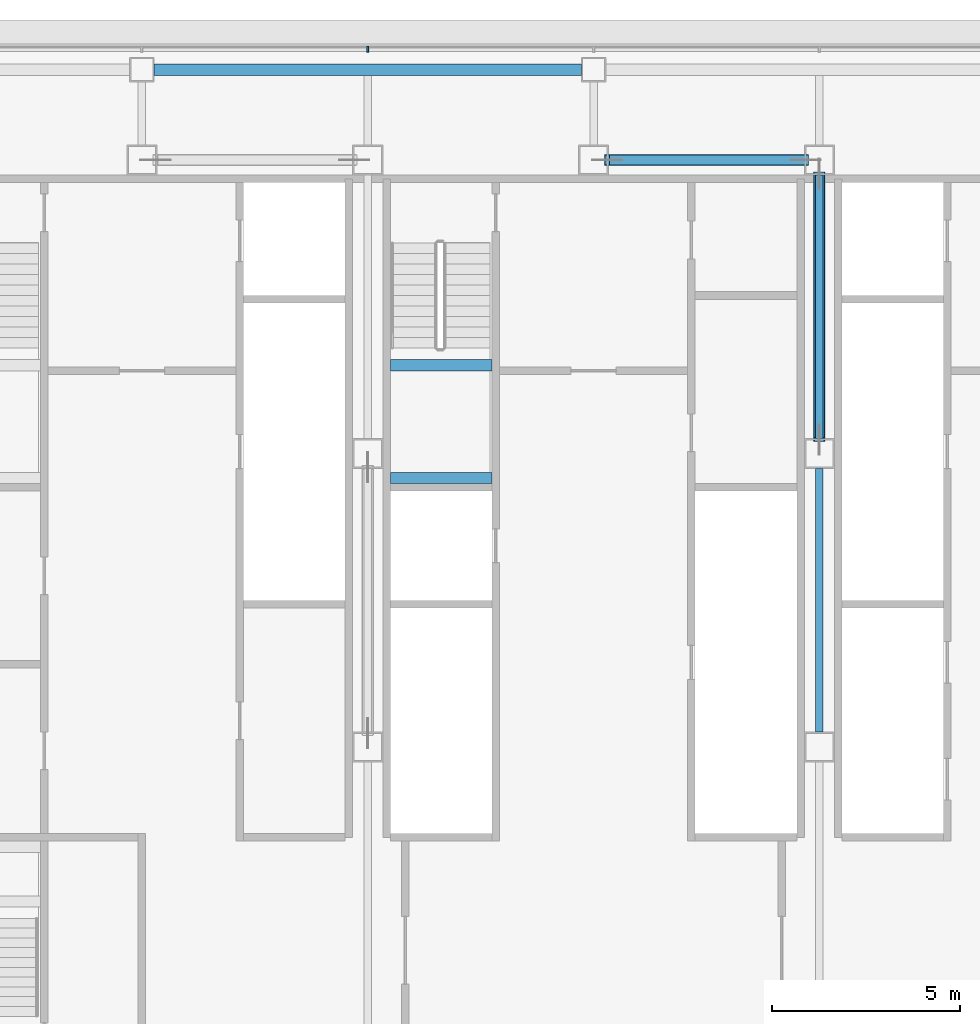
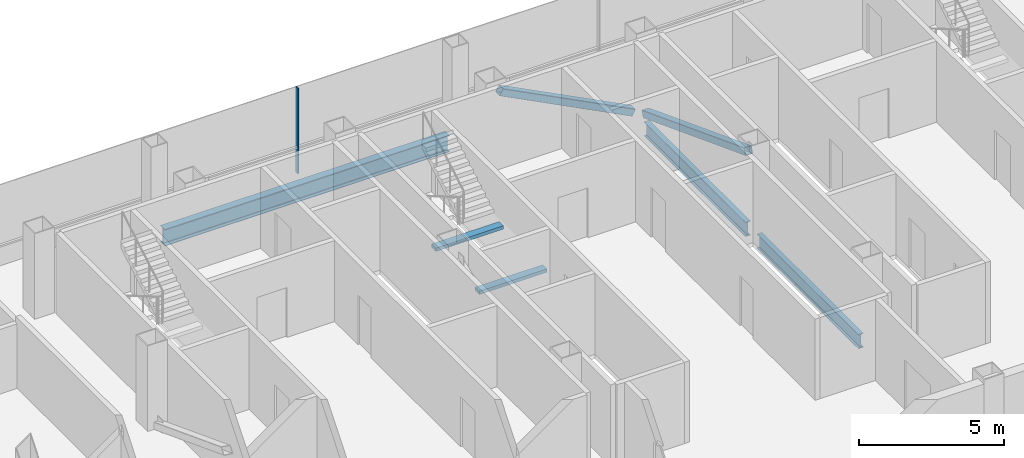
# One storey, part 13 of 27: 5 beams, 3 members, 1 element without a shape of its own.
"""IFC4 building model written with IfcOpenShell, lengths in metres."""

import ifcopenshell
import ifcopenshell.guid

model = None  # the IFC model being written
_history = None  # IfcOwnerHistory: only IFC2X3 demands one
_inside = {}  # id of a spatial element -> (the spatial element, [elements in it])
_under = {}  # id of a project, library or spatial element -> (it, [spatial elements below it])
_declared = {}  # id of a project -> (the project, [libraries it declares])
_typed = {}  # id of a type object -> (the type object, [elements of that type])
_made_of = {}  # id of a material, layer set ... -> (it, [elements and type objects made of it])


def new_model(schema):
    """Start an empty IFC model of exactly this schema.

    Asked for "IFC4X3", IfcOpenShell would pick the latest addendum, in which some entities
    have other attributes; the version numbers below select the first issue.
    IFC2X3 requires an IfcOwnerHistory on every rooted entity: one is made here for all.
    """
    global model, _history
    if schema == "IFC4X3":
        model = ifcopenshell.file(schema_version=(4, 3, 0, 0))
    else:
        model = ifcopenshell.file(schema=schema)
    _inside.clear()
    _under.clear()
    _declared.clear()
    _typed.clear()
    _made_of.clear()
    _history = None
    if model.schema == "IFC2X3":
        org = make("IfcOrganization", Name="unknown")
        user = make(
            "IfcPersonAndOrganization",
            ThePerson=make("IfcPerson", FamilyName="unknown"),
            TheOrganization=org,
        )
        app = make(
            "IfcApplication",
            ApplicationDeveloper=org,
            Version="unknown",
            ApplicationFullName="unknown",
            ApplicationIdentifier="unknown",
        )
        _history = make(
            "IfcOwnerHistory",
            OwningUser=user,
            OwningApplication=app,
            ChangeAction="ADDED",
            CreationDate=0,
        )
    return model


def make(cls, **values):
    """One entity of the class cls with the attributes given. An attribute that is None is left unset."""
    return model.create_entity(
        cls, **{name: value for name, value in values.items() if value is not None}
    )


def rooted(cls, **values):
    """An entity with a GlobalId (a new one), such as an element, a storey or a relation."""
    return make(cls, GlobalId=ifcopenshell.guid.new(), OwnerHistory=_history, **values)


def si_unit(unit_type, name, prefix=None):
    """IfcSIUnit, for example si_unit("LENGTHUNIT", "METRE", prefix="MILLI")."""
    return make("IfcSIUnit", UnitType=unit_type, Prefix=prefix, Name=name)


def assignment(units):
    """IfcUnitAssignment: the units of a project."""
    return None if units is None else make("IfcUnitAssignment", Units=units)


def point(xyz):
    """IfcCartesianPoint."""
    return None if xyz is None else make("IfcCartesianPoint", Coordinates=xyz)


def direction(xyz):
    """IfcDirection."""
    return None if xyz is None else make("IfcDirection", DirectionRatios=xyz)


def frame(location, z_axis=None, x_axis=None):
    """IfcAxis2Placement3D, a coordinate frame: its origin and axes. An axis left out is left unset."""
    return make(
        "IfcAxis2Placement3D",
        Location=point(location),
        Axis=direction(z_axis),
        RefDirection=direction(x_axis),
    )


def frame_2d(location, x_axis=None):
    """IfcAxis2Placement2D, a coordinate frame in the plane: its origin and x axis."""
    return make(
        "IfcAxis2Placement2D", Location=point(location), RefDirection=direction(x_axis)
    )


def origin():
    """The frame at (0, 0, 0) with its axes left unset."""
    return frame((0.0, 0.0, 0.0))


def origin_2d():
    """The frame at (0, 0) in the plane with its x axis left unset."""
    return frame_2d((0.0, 0.0))


def place(relative_to, where):
    """IfcLocalPlacement: puts the frame where relative to a parent placement (None: the world)."""
    return make(
        "IfcLocalPlacement", PlacementRelTo=relative_to, RelativePlacement=where
    )


def context(
    kind, dimensions, precision=None, world=None, true_north=None, identifier=None
):
    """IfcGeometricRepresentationContext, for example the 3D "Model" context."""
    return make(
        "IfcGeometricRepresentationContext",
        ContextIdentifier=identifier,
        ContextType=kind,
        CoordinateSpaceDimension=dimensions,
        Precision=precision,
        WorldCoordinateSystem=world,
        TrueNorth=true_north,
    )


def subcontext(parent, identifier, kind, view, scale=None):
    """IfcGeometricRepresentationSubContext, for example "Body" below "Model"."""
    return make(
        "IfcGeometricRepresentationSubContext",
        ContextIdentifier=identifier,
        ContextType=kind,
        ParentContext=parent,
        TargetScale=scale,
        TargetView=view,
    )


def project(units=None, contexts=None):
    """IfcProject with its units and contexts."""
    return rooted(
        "IfcProject",
        Name="project",
        RepresentationContexts=contexts,
        UnitsInContext=assignment(units),
    )


def spatial(cls, under=None, at=None, **own):
    """A site, building, storey or space (cls), placed at a placement, below another one or the project."""
    s = rooted(cls, ObjectPlacement=at, **own)
    if under is not None:
        _under.setdefault(under.id(), (under, []))[1].append(s)
    return s


def profile(cls, at=None, kind="AREA", **sizes):
    """A parametric profile (cls). Its sizes go by their IFC names, for example OverallWidth=200.0."""
    return make(cls, ProfileType=kind, Position=at, **sizes)


def rectangle(**sizes):
    """IfcRectangleProfileDef."""
    return profile("IfcRectangleProfileDef", **sizes)


def hollow_rectangle(**sizes):
    """IfcRectangleHollowProfileDef."""
    return profile("IfcRectangleHollowProfileDef", **sizes)


def i_section(**sizes):
    """IfcIShapeProfileDef."""
    return profile("IfcIShapeProfileDef", **sizes)


def extrude(swept, where, along, depth):
    """IfcExtrudedAreaSolid: the profile swept, set in the frame where, extruded along a direction by depth."""
    return make(
        "IfcExtrudedAreaSolid",
        SweptArea=swept,
        Position=where,
        ExtrudedDirection=direction(along),
        Depth=depth,
    )


def shape(context_of_items, identifier, shape_type, items):
    """IfcShapeRepresentation: the items that make up one representation, for example the "Body"."""
    return make(
        "IfcShapeRepresentation",
        ContextOfItems=context_of_items,
        RepresentationIdentifier=identifier,
        RepresentationType=shape_type,
        Items=items,
    )


def material(Name=None, Category=None):
    """IfcMaterial."""
    return make("IfcMaterial", Name=Name, Category=Category)


def material_profile(
    of_material, cross_section, Name=None, Category=None, Priority=None
):
    """IfcMaterialProfile: a cross section and its material."""
    return make(
        "IfcMaterialProfile",
        Name=Name,
        Material=of_material,
        Profile=cross_section,
        Priority=Priority,
        Category=Category,
    )


def profile_set(profiles, Name=None, composite=None):
    """IfcMaterialProfileSet."""
    return make(
        "IfcMaterialProfileSet",
        Name=Name,
        MaterialProfiles=profiles,
        CompositeProfile=composite,
    )


def made_of(thing, what):
    """Note that an element or type object is made of a material, layer set ...; save() writes the relation."""
    if what is not None:
        _made_of.setdefault(what.id(), (what, []))[1].append(thing)
    return thing


def type_object(cls, material=None, **own):
    """A type object (cls), such as IfcWallType, which elements share."""
    return made_of(rooted(cls, **own), material)


def element(
    cls,
    number,
    at=None,
    inside=None,
    cuts=None,
    type_object=None,
    material=None,
    context=None,
    identifier="Body",
    shape_type=None,
    held_by="IfcProductDefinitionShape",
    body=None,
    shapes=None,
    **own,
):
    """One element of the class cls, such as IfcWall. Its Tag is "e" and its number.

    at: its placement. inside: the storey or other place that contains it. cuts: it is an
    opening in that element (IfcRelVoidsElement). A single representation is given by context,
    identifier, shape_type and body (its items); several are given by shapes. held_by: the class
    of the entity that holds the representations. save() writes the other relations.
    """
    e = rooted(cls, Tag="e%d" % number, ObjectPlacement=at, **own)
    if body is not None:
        shapes = [shape(context, identifier, shape_type, body)]
    if shapes is not None:
        e.Representation = make(held_by, Representations=shapes)
    if inside is not None:
        _inside.setdefault(inside.id(), (inside, []))[1].append(e)
    if cuts is not None:
        rooted(
            "IfcRelVoidsElement", RelatingBuildingElement=cuts, RelatedOpeningElement=e
        )
    if type_object is not None:
        _typed.setdefault(type_object.id(), (type_object, []))[1].append(e)
    return made_of(e, material)


def aggregate(whole, parts):
    """IfcRelAggregates: a whole, such as a stair, and the parts it consists of."""
    return rooted("IfcRelAggregates", RelatingObject=whole, RelatedObjects=parts)


def save(model, path):
    """Write the relations noted so far, then the file.

    IfcRelAggregates (storeys below a building ...), IfcRelContainedInSpatialStructure (elements
    in a storey), IfcRelDefinesByType, IfcRelAssociatesMaterial and IfcRelDeclares: one each for
    every whole, place, type object, material and project.
    """
    for whole, parts in _under.values():
        aggregate(whole, parts)
    for where, things in _inside.values():
        rooted(
            "IfcRelContainedInSpatialStructure",
            RelatedElements=things,
            RelatingStructure=where,
        )
    for kind, things in _typed.values():
        rooted("IfcRelDefinesByType", RelatedObjects=things, RelatingType=kind)
    for what, things in _made_of.values():
        rooted("IfcRelAssociatesMaterial", RelatedObjects=things, RelatingMaterial=what)
    for by, libraries in _declared.values():
        rooted("IfcRelDeclares", RelatingContext=by, RelatedDefinitions=libraries)
    model.write(path)


model = new_model("IFC4")

# Units and contexts
model_context = context("Model", 3, precision=1e-05, world=origin(), true_north=direction((0.0, 1.0)))
body_context = subcontext(model_context, "Body", "Model", "MODEL_VIEW")
ifc_project = project(units=[si_unit("LENGTHUNIT", "METRE"), si_unit("AREAUNIT", "SQUARE_METRE"), si_unit("VOLUMEUNIT", "CUBIC_METRE"), si_unit("PLANEANGLEUNIT", "RADIAN"), si_unit("MASSUNIT", "GRAM", prefix="KILO")], contexts=[model_context])

# Site, building, storey
site_placement = place(None, origin())
site = spatial("IfcSite", under=ifc_project, at=site_placement, CompositionType="ELEMENT")
building_placement = place(site_placement, origin())
building = spatial("IfcBuilding", under=site, at=building_placement, Name="Sorahane Residences", CompositionType="ELEMENT")
storey_placement = place(building_placement, frame((0.0, 0.0, 202.800048828125)))
storey = spatial("IfcBuildingStorey", under=building, at=storey_placement, Name="L47", CompositionType="ELEMENT", Elevation=202.800048828125)

# Members
ifc_material_1 = material(Name="Steel Q355B", Category="steel")
ifc_material_profile_1 = material_profile(ifc_material_1, hollow_rectangle(XDim=0.300048828125, YDim=0.300048828125, WallThickness=0.01611328125, InnerFilletRadius=0.008056640625, OuterFilletRadius=0.02392578125, at=origin_2d()), Name="RHS 300x300x16")
ifc_profile_set_1 = profile_set([ifc_material_profile_1], Name="Steel Q355B")
member_type_1 = type_object("IfcMemberType", Name="Core brace RHS 300x300x16 Q355B", PredefinedType="BRACE", material=ifc_profile_set_1)
member_1_placement = place(storey_placement, frame((29.64111328125, 45.60009765625, 0.12890625), z_axis=(-0.889590046837, 0.0, 0.45675983686), x_axis=(0.0, -1.0, 0.0)))
element("IfcMember", 1, at=member_1_placement, inside=storey, type_object=member_type_1, Name="Core brace L47 y45.6-4", PredefinedType="BRACE", context=body_context, shape_type="SweptSolid", body=[
    extrude(hollow_rectangle(XDim=0.300048828125, YDim=0.300048828125, WallThickness=0.01611328125, InnerFilletRadius=0.008056640625, OuterFilletRadius=0.02392578125, at=origin_2d()), origin(), (0.0, 0.0, 1.0), 5.937744140625),
])
member_2_placement = place(storey_placement, frame((30.0, 45.232177734375, 0.1376953125), z_axis=(0.0, -0.934335722983, 0.356394103147), x_axis=(1.0, 0.0, 0.0)))
element("IfcMember", 2, at=member_2_placement, inside=storey, type_object=member_type_1, Name="Core brace L47 x30-2", PredefinedType="BRACE", context=body_context, shape_type="SweptSolid", body=[
    extrude(hollow_rectangle(XDim=0.300048828125, YDim=0.300048828125, WallThickness=0.01611328125, InnerFilletRadius=0.008056640625, OuterFilletRadius=0.02392578125, at=origin_2d()), origin(), (0.0, 0.0, 1.0), 7.560791015625),
])

# Curtain wall, member
ifc_material_2 = material(Name="Dark low-e glass and black anodised aluminium", Category="aluminium")
curtain_wall_type = type_object("IfcCurtainWallType", Name="Curtain wall CW-1 Typical unitised wall", PredefinedType="NOTDEFINED", material=ifc_material_2)
curtain_wall_placement = place(storey_placement, origin())
curtain_wall = element("IfcCurtainWall", 3, at=curtain_wall_placement, inside=storey, type_object=curtain_wall_type, Name="CW-1 curtain wall L47 N1", PredefinedType="NOTDEFINED")
ifc_material_3 = material(Name="Black anodised aluminium", Category="aluminium")
ifc_material_profile_2 = material_profile(ifc_material_3, rectangle(XDim=0.159912109375, YDim=0.050048828125, at=origin_2d()), Name="Curtain wall mullion CW-1 black anodised aluminium 50x160")
ifc_profile_set_2 = profile_set([ifc_material_profile_2], Name="Black anodised aluminium")
member_type_2 = type_object("IfcMemberType", Name="Curtain wall mullion CW-1 black anodised aluminium 50x160", PredefinedType="MULLION", material=ifc_profile_set_2)
member_3_placement = place(storey_placement, frame((18.0, 48.5400390625, -0.179931640625), z_axis=(0.0, 0.0, 1.0), x_axis=(0.0, 1.0, 0.0)))
member_3 = element("IfcMember", 4, at=member_3_placement, type_object=member_type_2, Name="CW-1 mullion L47 N1.6", PredefinedType="MULLION", context=body_context, shape_type="SweptSolid", body=[
    extrude(rectangle(XDim=0.159912109375, YDim=0.050048828125, at=origin_2d()), origin(), (0.0, 0.0, 1.0), 3.599853515625),
])
aggregate(curtain_wall, [member_3])

# Beams
ifc_material_4 = material(Name="Concrete C40", Category="concrete")
ifc_material_profile_3 = material_profile(ifc_material_4, rectangle(XDim=0.300048828125, YDim=0.139892578125, at=origin_2d()), Name="300x140")
ifc_profile_set_3 = profile_set([ifc_material_profile_3], Name="Concrete C40")
beam_type_1 = type_object("IfcBeamType", Name="RC landing beam 300 x 140 Concrete C40", PredefinedType="BEAM", material=ifc_profile_set_3)
for number, where, z_axis, x_axis, name in (
    (5, (18.60009765625, 37.14990234375, 1.530029296875), (1.0, 0.0, 0.0), (0.0, 1.0, 0.0), "Landing beam"),
    (6, (18.60009765625, 40.14990234375, 1.530029296875), (1.0, 0.0, 0.0), (0.0, 1.0, 0.0), "Landing beam"),
):
    element("IfcBeam", number, at=place(storey_placement, frame(where, z_axis=z_axis, x_axis=x_axis)), inside=storey, type_object=beam_type_1, Name=name, PredefinedType="BEAM", context=body_context, shape_type="SweptSolid", body=[
        extrude(rectangle(XDim=0.300048828125, YDim=0.139892578125, at=origin_2d()), origin(), (0.0, 0.0, 1.0), 2.699951171875),
    ])
ifc_material_5 = material(Name="Steel Q355B", Category="steel")
ifc_material_profile_4 = material_profile(ifc_material_5, i_section(OverallWidth=0.199951171875, OverallDepth=0.60009765625, WebThickness=0.010986328125, FlangeThickness=0.01708984375, FilletRadius=0.02392578125, at=origin_2d()), Name="HN 600x200x11x17")
ifc_profile_set_4 = profile_set([ifc_material_profile_4], Name="Steel Q355B")
beam_type_2 = type_object("IfcBeamType", Name="Steel floor beam HN 600x200x11x17 Q355B", PredefinedType="BEAM", material=ifc_profile_set_4)
for number, where, z_axis, x_axis, name in (
    (7, (30.0, 30.39990234375, -0.47998046875), (0.0, 1.0, 0.0), (-1.0, 0.0, 0.0), "Beam L47 047"),
    (8, (30.0, 38.199951171875, -0.47998046875), (0.0, 1.0, 0.0), (-1.0, 0.0, 0.0), "Beam L47 048"),
):
    element("IfcBeam", number, at=place(storey_placement, frame(where, z_axis=z_axis, x_axis=x_axis)), inside=storey, type_object=beam_type_2, Name=name, PredefinedType="BEAM", context=body_context, shape_type="SweptSolid", body=[
        extrude(i_section(OverallWidth=0.199951171875, OverallDepth=0.60009765625, WebThickness=0.010986328125, FlangeThickness=0.01708984375, FilletRadius=0.02392578125, at=origin_2d()), origin(), (0.0, 0.0, 1.0), 7.0),
    ])
ifc_material_6 = material(Name="Steel Q355B", Category="steel")
ifc_material_profile_5 = material_profile(ifc_material_6, i_section(OverallWidth=0.300048828125, OverallDepth=0.699951171875, WebThickness=0.012939453125, FlangeThickness=0.02392578125, FilletRadius=0.028076171875, at=origin_2d()), Name="HN 700x300x13x24")
ifc_profile_set_5 = profile_set([ifc_material_profile_5], Name="Steel Q355B")
beam_type_3 = type_object("IfcBeamType", Name="Steel floor beam HN 700x300x13x24 Q355B", PredefinedType="BEAM", material=ifc_profile_set_5)
beam_placement = place(storey_placement, frame((12.324951171875, 48.0, -0.530029296875), z_axis=(1.0, 0.0, 0.0), x_axis=(0.0, 1.0, 0.0)))
element("IfcBeam", 9, at=beam_placement, inside=storey, type_object=beam_type_3, Name="Beam L47 017", PredefinedType="BEAM", context=body_context, shape_type="SweptSolid", body=[
    extrude(i_section(OverallWidth=0.300048828125, OverallDepth=0.699951171875, WebThickness=0.012939453125, FlangeThickness=0.02392578125, FilletRadius=0.028076171875, at=origin_2d()), origin(), (0.0, 0.0, 1.0), 11.35009765625),
])

save(model, "model.ifc")
